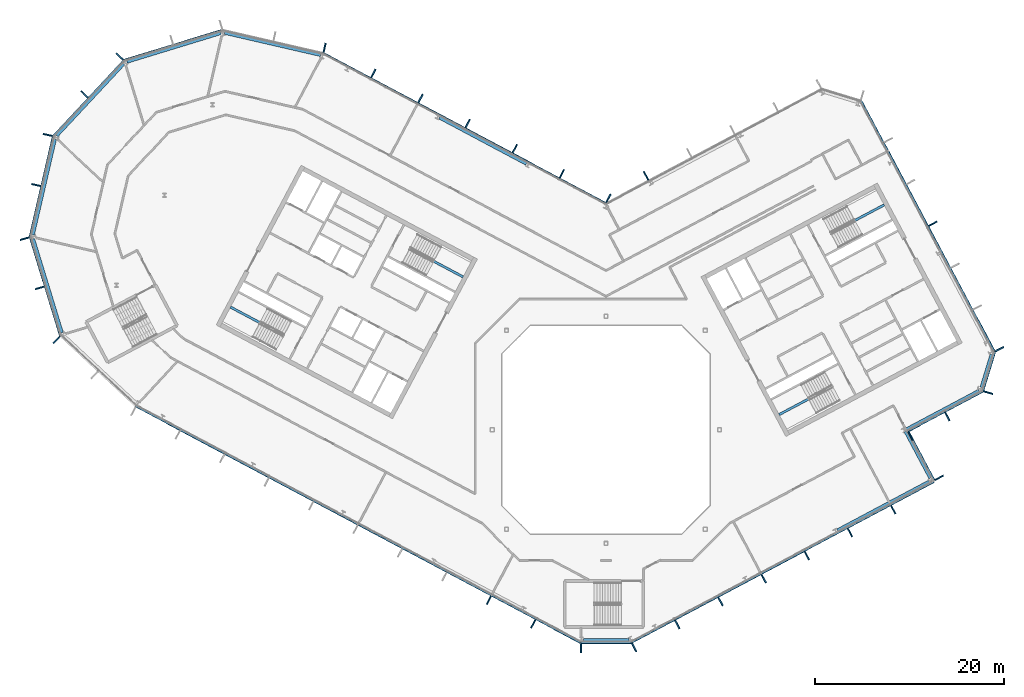
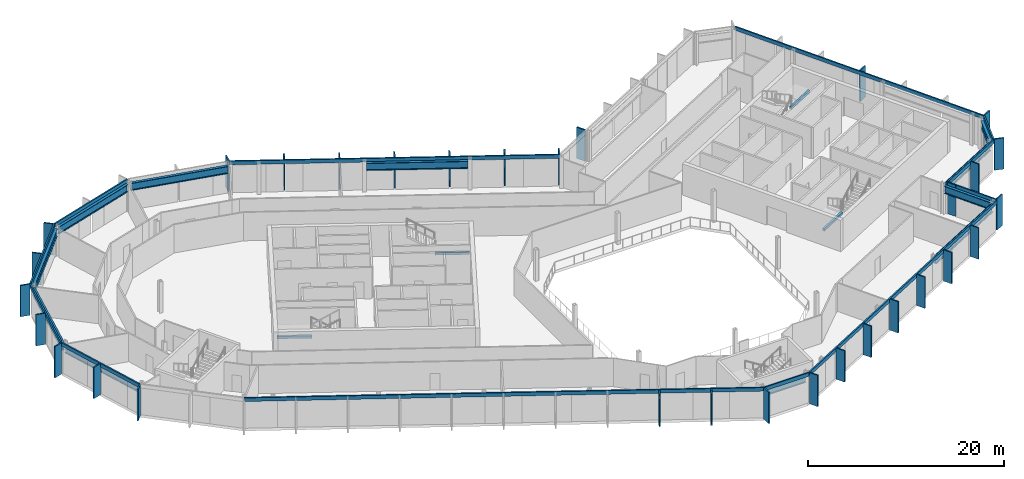
# One storey, part 9 of 25: 43 members, 15 beams, 15 elements without a shape of their own.
"""IFC4 building model written with IfcOpenShell, lengths in metres."""

import ifcopenshell
import ifcopenshell.guid

model = None  # the IFC model being written
_history = None  # IfcOwnerHistory: only IFC2X3 demands one
_inside = {}  # id of a spatial element -> (the spatial element, [elements in it])
_under = {}  # id of a project, library or spatial element -> (it, [spatial elements below it])
_declared = {}  # id of a project -> (the project, [libraries it declares])
_typed = {}  # id of a type object -> (the type object, [elements of that type])
_made_of = {}  # id of a material, layer set ... -> (it, [elements and type objects made of it])


def new_model(schema):
    """Start an empty IFC model of exactly this schema.

    Asked for "IFC4X3", IfcOpenShell would pick the latest addendum, in which some entities
    have other attributes; the version numbers below select the first issue.
    IFC2X3 requires an IfcOwnerHistory on every rooted entity: one is made here for all.
    """
    global model, _history
    if schema == "IFC4X3":
        model = ifcopenshell.file(schema_version=(4, 3, 0, 0))
    else:
        model = ifcopenshell.file(schema=schema)
    _inside.clear()
    _under.clear()
    _declared.clear()
    _typed.clear()
    _made_of.clear()
    _history = None
    if model.schema == "IFC2X3":
        org = make("IfcOrganization", Name="unknown")
        user = make(
            "IfcPersonAndOrganization",
            ThePerson=make("IfcPerson", FamilyName="unknown"),
            TheOrganization=org,
        )
        app = make(
            "IfcApplication",
            ApplicationDeveloper=org,
            Version="unknown",
            ApplicationFullName="unknown",
            ApplicationIdentifier="unknown",
        )
        _history = make(
            "IfcOwnerHistory",
            OwningUser=user,
            OwningApplication=app,
            ChangeAction="ADDED",
            CreationDate=0,
        )
    return model


def make(cls, **values):
    """One entity of the class cls with the attributes given. An attribute that is None is left unset."""
    return model.create_entity(
        cls, **{name: value for name, value in values.items() if value is not None}
    )


def rooted(cls, **values):
    """An entity with a GlobalId (a new one), such as an element, a storey or a relation."""
    return make(cls, GlobalId=ifcopenshell.guid.new(), OwnerHistory=_history, **values)


def si_unit(unit_type, name, prefix=None):
    """IfcSIUnit, for example si_unit("LENGTHUNIT", "METRE", prefix="MILLI")."""
    return make("IfcSIUnit", UnitType=unit_type, Prefix=prefix, Name=name)


def assignment(units):
    """IfcUnitAssignment: the units of a project."""
    return None if units is None else make("IfcUnitAssignment", Units=units)


def point(xyz):
    """IfcCartesianPoint."""
    return None if xyz is None else make("IfcCartesianPoint", Coordinates=xyz)


def direction(xyz):
    """IfcDirection."""
    return None if xyz is None else make("IfcDirection", DirectionRatios=xyz)


def frame(location, z_axis=None, x_axis=None):
    """IfcAxis2Placement3D, a coordinate frame: its origin and axes. An axis left out is left unset."""
    return make(
        "IfcAxis2Placement3D",
        Location=point(location),
        Axis=direction(z_axis),
        RefDirection=direction(x_axis),
    )


def frame_2d(location, x_axis=None):
    """IfcAxis2Placement2D, a coordinate frame in the plane: its origin and x axis."""
    return make(
        "IfcAxis2Placement2D", Location=point(location), RefDirection=direction(x_axis)
    )


def origin():
    """The frame at (0, 0, 0) with its axes left unset."""
    return frame((0.0, 0.0, 0.0))


def origin_2d():
    """The frame at (0, 0) in the plane with its x axis left unset."""
    return frame_2d((0.0, 0.0))


def place(relative_to, where):
    """IfcLocalPlacement: puts the frame where relative to a parent placement (None: the world)."""
    return make(
        "IfcLocalPlacement", PlacementRelTo=relative_to, RelativePlacement=where
    )


def context(
    kind, dimensions, precision=None, world=None, true_north=None, identifier=None
):
    """IfcGeometricRepresentationContext, for example the 3D "Model" context."""
    return make(
        "IfcGeometricRepresentationContext",
        ContextIdentifier=identifier,
        ContextType=kind,
        CoordinateSpaceDimension=dimensions,
        Precision=precision,
        WorldCoordinateSystem=world,
        TrueNorth=true_north,
    )


def subcontext(parent, identifier, kind, view, scale=None):
    """IfcGeometricRepresentationSubContext, for example "Body" below "Model"."""
    return make(
        "IfcGeometricRepresentationSubContext",
        ContextIdentifier=identifier,
        ContextType=kind,
        ParentContext=parent,
        TargetScale=scale,
        TargetView=view,
    )


def project(units=None, contexts=None):
    """IfcProject with its units and contexts."""
    return rooted(
        "IfcProject",
        Name="project",
        RepresentationContexts=contexts,
        UnitsInContext=assignment(units),
    )


def spatial(cls, under=None, at=None, **own):
    """A site, building, storey or space (cls), placed at a placement, below another one or the project."""
    s = rooted(cls, ObjectPlacement=at, **own)
    if under is not None:
        _under.setdefault(under.id(), (under, []))[1].append(s)
    return s


def profile(cls, at=None, kind="AREA", **sizes):
    """A parametric profile (cls). Its sizes go by their IFC names, for example OverallWidth=200.0."""
    return make(cls, ProfileType=kind, Position=at, **sizes)


def rectangle(**sizes):
    """IfcRectangleProfileDef."""
    return profile("IfcRectangleProfileDef", **sizes)


def i_section(**sizes):
    """IfcIShapeProfileDef."""
    return profile("IfcIShapeProfileDef", **sizes)


def extrude(swept, where, along, depth):
    """IfcExtrudedAreaSolid: the profile swept, set in the frame where, extruded along a direction by depth."""
    return make(
        "IfcExtrudedAreaSolid",
        SweptArea=swept,
        Position=where,
        ExtrudedDirection=direction(along),
        Depth=depth,
    )


def shape(context_of_items, identifier, shape_type, items):
    """IfcShapeRepresentation: the items that make up one representation, for example the "Body"."""
    return make(
        "IfcShapeRepresentation",
        ContextOfItems=context_of_items,
        RepresentationIdentifier=identifier,
        RepresentationType=shape_type,
        Items=items,
    )


def material(Name=None, Category=None):
    """IfcMaterial."""
    return make("IfcMaterial", Name=Name, Category=Category)


def layer(
    of_material, thickness, ventilated=None, Name=None, Category=None, Priority=None
):
    """IfcMaterialLayer: one layer of a wall or slab, of a material (None: an air gap)."""
    return make(
        "IfcMaterialLayer",
        Material=of_material,
        LayerThickness=thickness,
        IsVentilated=ventilated,
        Name=Name,
        Category=Category,
        Priority=Priority,
    )


def layer_set(layers, Name=None):
    """IfcMaterialLayerSet."""
    return make("IfcMaterialLayerSet", MaterialLayers=layers, LayerSetName=Name)


def material_profile(
    of_material, cross_section, Name=None, Category=None, Priority=None
):
    """IfcMaterialProfile: a cross section and its material."""
    return make(
        "IfcMaterialProfile",
        Name=Name,
        Material=of_material,
        Profile=cross_section,
        Priority=Priority,
        Category=Category,
    )


def profile_set(profiles, Name=None, composite=None):
    """IfcMaterialProfileSet."""
    return make(
        "IfcMaterialProfileSet",
        Name=Name,
        MaterialProfiles=profiles,
        CompositeProfile=composite,
    )


def made_of(thing, what):
    """Note that an element or type object is made of a material, layer set ...; save() writes the relation."""
    if what is not None:
        _made_of.setdefault(what.id(), (what, []))[1].append(thing)
    return thing


def type_object(cls, material=None, **own):
    """A type object (cls), such as IfcWallType, which elements share."""
    return made_of(rooted(cls, **own), material)


def element(
    cls,
    number,
    at=None,
    inside=None,
    cuts=None,
    type_object=None,
    material=None,
    context=None,
    identifier="Body",
    shape_type=None,
    held_by="IfcProductDefinitionShape",
    body=None,
    shapes=None,
    **own,
):
    """One element of the class cls, such as IfcWall. Its Tag is "e" and its number.

    at: its placement. inside: the storey or other place that contains it. cuts: it is an
    opening in that element (IfcRelVoidsElement). A single representation is given by context,
    identifier, shape_type and body (its items); several are given by shapes. held_by: the class
    of the entity that holds the representations. save() writes the other relations.
    """
    e = rooted(cls, Tag="e%d" % number, ObjectPlacement=at, **own)
    if body is not None:
        shapes = [shape(context, identifier, shape_type, body)]
    if shapes is not None:
        e.Representation = make(held_by, Representations=shapes)
    if inside is not None:
        _inside.setdefault(inside.id(), (inside, []))[1].append(e)
    if cuts is not None:
        rooted(
            "IfcRelVoidsElement", RelatingBuildingElement=cuts, RelatedOpeningElement=e
        )
    if type_object is not None:
        _typed.setdefault(type_object.id(), (type_object, []))[1].append(e)
    return made_of(e, material)


def aggregate(whole, parts):
    """IfcRelAggregates: a whole, such as a stair, and the parts it consists of."""
    return rooted("IfcRelAggregates", RelatingObject=whole, RelatedObjects=parts)


def save(model, path):
    """Write the relations noted so far, then the file.

    IfcRelAggregates (storeys below a building ...), IfcRelContainedInSpatialStructure (elements
    in a storey), IfcRelDefinesByType, IfcRelAssociatesMaterial and IfcRelDeclares: one each for
    every whole, place, type object, material and project.
    """
    for whole, parts in _under.values():
        aggregate(whole, parts)
    for where, things in _inside.values():
        rooted(
            "IfcRelContainedInSpatialStructure",
            RelatedElements=things,
            RelatingStructure=where,
        )
    for kind, things in _typed.values():
        rooted("IfcRelDefinesByType", RelatedObjects=things, RelatingType=kind)
    for what, things in _made_of.values():
        rooted("IfcRelAssociatesMaterial", RelatedObjects=things, RelatingMaterial=what)
    for by, libraries in _declared.values():
        rooted("IfcRelDeclares", RelatingContext=by, RelatedDefinitions=libraries)
    model.write(path)


model = new_model("IFC4")

# Units and contexts
model_context = context("Model", 3, precision=1e-05, world=origin(), true_north=direction((0.0, 1.0)))
body_context = subcontext(model_context, "Body", "Model", "MODEL_VIEW")
ifc_project = project(units=[si_unit("LENGTHUNIT", "METRE"), si_unit("AREAUNIT", "SQUARE_METRE"), si_unit("VOLUMEUNIT", "CUBIC_METRE"), si_unit("PLANEANGLEUNIT", "RADIAN"), si_unit("MASSUNIT", "GRAM", prefix="KILO")], contexts=[model_context])

# Site, building, storey
site_placement = place(None, origin())
site = spatial("IfcSite", under=ifc_project, at=site_placement, CompositionType="ELEMENT")
building_placement = place(site_placement, origin())
building = spatial("IfcBuilding", under=site, at=building_placement, Name="Cormorant Relay Tower", CompositionType="ELEMENT")
storey_placement = place(building_placement, frame((0.0, 0.0, 289.199951171875)))
storey = spatial("IfcBuildingStorey", under=building, at=storey_placement, Name="L65", CompositionType="ELEMENT", Elevation=289.199951171875)

# Curtain wall, member
ifc_material_1 = material(Name="Aluminium 6063-T6 anodised bronze", Category="aluminium")
ifc_layer = layer(ifc_material_1, 0.199951171875)
ifc_layer_set = layer_set([ifc_layer], Name="CW1 unitised bronze curtain wall with vertical fins")
curtain_wall_type = type_object("IfcCurtainWallType", Name="CW1 unitised bronze curtain wall with vertical fins", PredefinedType="NOTDEFINED", material=ifc_layer_set)
curtain_wall_1_placement = place(storey_placement, origin())
curtain_wall_1 = element("IfcCurtainWall", 1, at=curtain_wall_1_placement, inside=storey, type_object=curtain_wall_type, Name="CW1 curtain wall 1", PredefinedType="NOTDEFINED")
ifc_material_2 = material(Name="Aluminium 6063-T6 anodised bronze", Category="aluminium")
ifc_material_profile_1 = material_profile(ifc_material_2, rectangle(XDim=0.14990234375, YDim=1.0, at=origin_2d()), Name="AL 150x1000")
ifc_profile_set_1 = profile_set([ifc_material_profile_1], Name="Aluminium 6063-T6 anodised bronze")
member_type_1 = type_object("IfcMemberType", Name="CW1 bronze fin mullion 150 x 1000", PredefinedType="MULLION", material=ifc_profile_set_1)
member_1_placement = place(storey_placement, frame((-2.648681640625, -23.07568359375, 0.0), z_axis=(0.0, 0.0, 1.0), x_axis=(1.0, 0.0, 0.0)))
member_1 = element("IfcMember", 2, at=member_1_placement, type_object=member_type_1, Name="CW1 fin 1.1", PredefinedType="MULLION", context=body_context, shape_type="SweptSolid", body=[
    extrude(rectangle(XDim=0.14990234375, YDim=1.0, at=origin_2d()), origin(), (0.0, 0.0, 1.0), 3.900146484375),
])

# Curtain wall, members
curtain_wall_2_placement = place(storey_placement, origin())
curtain_wall_2 = element("IfcCurtainWall", 3, at=curtain_wall_2_placement, inside=storey, type_object=curtain_wall_type, Name="CW1 curtain wall 2", PredefinedType="NOTDEFINED")
member_2_placement = place(storey_placement, frame((2.9775390625, -22.99365234375, 0.0), z_axis=(0.0, 0.0, 1.0), x_axis=(0.882947592859, 0.469471562786, 0.0)))
member_2 = element("IfcMember", 4, at=member_2_placement, type_object=member_type_1, Name="CW1 fin 2.1", PredefinedType="MULLION", context=body_context, shape_type="SweptSolid", body=[
    extrude(rectangle(XDim=0.14990234375, YDim=1.0, at=origin_2d()), origin(), (0.0, 0.0, 1.0), 3.900146484375),
])
member_3_placement = place(storey_placement, frame((7.539306640625, -20.568115234375, 0.0), z_axis=(0.0, 0.0, 1.0), x_axis=(0.882947592859, 0.469471562786, 0.0)))
member_3 = element("IfcMember", 5, at=member_3_placement, type_object=member_type_1, Name="CW1 fin 2.2", PredefinedType="MULLION", context=body_context, shape_type="SweptSolid", body=[
    extrude(rectangle(XDim=0.14990234375, YDim=1.0, at=origin_2d()), origin(), (0.0, 0.0, 1.0), 3.900146484375),
])
member_4_placement = place(storey_placement, frame((12.10107421875, -18.142578125, 0.0), z_axis=(0.0, 0.0, 1.0), x_axis=(0.882947592859, 0.469471562786, 0.0)))
member_4 = element("IfcMember", 6, at=member_4_placement, type_object=member_type_1, Name="CW1 fin 2.3", PredefinedType="MULLION", context=body_context, shape_type="SweptSolid", body=[
    extrude(rectangle(XDim=0.14990234375, YDim=1.0, at=origin_2d()), origin(), (0.0, 0.0, 1.0), 3.900146484375),
])
member_5_placement = place(storey_placement, frame((16.662841796875, -15.717041015625, 0.0), z_axis=(0.0, 0.0, 1.0), x_axis=(0.882947592859, 0.469471562786, 0.0)))
member_5 = element("IfcMember", 7, at=member_5_placement, type_object=member_type_1, Name="CW1 fin 2.4", PredefinedType="MULLION", context=body_context, shape_type="SweptSolid", body=[
    extrude(rectangle(XDim=0.14990234375, YDim=1.0, at=origin_2d()), origin(), (0.0, 0.0, 1.0), 3.900146484375),
])
member_6_placement = place(storey_placement, frame((21.224609375, -13.29150390625, 0.0), z_axis=(0.0, 0.0, 1.0), x_axis=(0.882947592859, 0.469471562786, 0.0)))
member_6 = element("IfcMember", 8, at=member_6_placement, type_object=member_type_1, Name="CW1 fin 2.5", PredefinedType="MULLION", context=body_context, shape_type="SweptSolid", body=[
    extrude(rectangle(XDim=0.14990234375, YDim=1.0, at=origin_2d()), origin(), (0.0, 0.0, 1.0), 3.900146484375),
])
member_7_placement = place(storey_placement, frame((25.78662109375, -10.865966796875, 0.0), z_axis=(0.0, 0.0, 1.0), x_axis=(0.882947592859, 0.469471562786, 0.0)))
member_7 = element("IfcMember", 9, at=member_7_placement, type_object=member_type_1, Name="CW1 fin 2.6", PredefinedType="MULLION", context=body_context, shape_type="SweptSolid", body=[
    extrude(rectangle(XDim=0.14990234375, YDim=1.0, at=origin_2d()), origin(), (0.0, 0.0, 1.0), 3.900146484375),
])
member_8_placement = place(storey_placement, frame((30.348388671875, -8.440185546875, 0.0), z_axis=(0.0, 0.0, 1.0), x_axis=(0.882947592859, 0.469471562786, 0.0)))
member_8 = element("IfcMember", 10, at=member_8_placement, type_object=member_type_1, Name="CW1 fin 2.7", PredefinedType="MULLION", context=body_context, shape_type="SweptSolid", body=[
    extrude(rectangle(XDim=0.14990234375, YDim=1.0, at=origin_2d()), origin(), (0.0, 0.0, 1.0), 3.900146484375),
])

# Curtain wall, member
curtain_wall_3_placement = place(storey_placement, origin())
curtain_wall_3 = element("IfcCurtainWall", 11, at=curtain_wall_3_placement, inside=storey, type_object=curtain_wall_type, Name="CW1 curtain wall 3", PredefinedType="NOTDEFINED")
member_9_placement = place(storey_placement, frame((35.199462890625, -5.068115234375, 0.0), z_axis=(0.0, 0.0, 1.0), x_axis=(-0.469471562786, 0.882947592859, 0.0)))
member_9 = element("IfcMember", 12, at=member_9_placement, type_object=member_type_1, Name="CW1 fin 3.1", PredefinedType="MULLION", context=body_context, shape_type="SweptSolid", body=[
    extrude(rectangle(XDim=0.14990234375, YDim=1.0, at=origin_2d()), origin(), (0.0, 0.0, 1.0), 3.900146484375),
])

# Curtain wall, members
curtain_wall_4_placement = place(storey_placement, origin())
curtain_wall_4 = element("IfcCurtainWall", 13, at=curtain_wall_4_placement, inside=storey, type_object=curtain_wall_type, Name="CW1 curtain wall 4", PredefinedType="NOTDEFINED")
member_10_placement = place(storey_placement, frame((32.159423828125, -0.681884765625, 0.0), z_axis=(0.0, 0.0, 1.0), x_axis=(0.882947592859, 0.469471562786, 0.0)))
member_10 = element("IfcMember", 14, at=member_10_placement, type_object=member_type_1, Name="CW1 fin 4.1", PredefinedType="MULLION", context=body_context, shape_type="SweptSolid", body=[
    extrude(rectangle(XDim=0.14990234375, YDim=1.0, at=origin_2d()), origin(), (0.0, 0.0, 1.0), 3.900146484375),
])
member_11_placement = place(storey_placement, frame((36.06640625, 1.3955078125, 0.0), z_axis=(0.0, 0.0, 1.0), x_axis=(0.882947592859, 0.469471562786, 0.0)))
member_11 = element("IfcMember", 15, at=member_11_placement, type_object=member_type_1, Name="CW1 fin 4.2", PredefinedType="MULLION", context=body_context, shape_type="SweptSolid", body=[
    extrude(rectangle(XDim=0.14990234375, YDim=1.0, at=origin_2d()), origin(), (0.0, 0.0, 1.0), 3.900146484375),
])

# Curtain wall, member
curtain_wall_5_placement = place(storey_placement, origin())
curtain_wall_5 = element("IfcCurtainWall", 16, at=curtain_wall_5_placement, inside=storey, type_object=curtain_wall_type, Name="CW1 curtain wall 5", PredefinedType="NOTDEFINED")
member_12_placement = place(storey_placement, frame((40.380615234375, 3.921630859375, 0.0), z_axis=(0.0, 0.0, 1.0), x_axis=(0.292371704723, 0.956304755963, 0.0)))
member_12 = element("IfcMember", 17, at=member_12_placement, type_object=member_type_1, Name="CW1 fin 5.1", PredefinedType="MULLION", context=body_context, shape_type="SweptSolid", body=[
    extrude(rectangle(XDim=0.14990234375, YDim=1.0, at=origin_2d()), origin(), (0.0, 0.0, 1.0), 3.900146484375),
])

# Curtain wall, members
curtain_wall_6_placement = place(storey_placement, origin())
curtain_wall_6 = element("IfcCurtainWall", 18, at=curtain_wall_6_placement, inside=storey, type_object=curtain_wall_type, Name="CW1 curtain wall 6", PredefinedType="NOTDEFINED")
member_13_placement = place(storey_placement, frame((41.569580078125, 8.51220703125, 0.0), z_axis=(0.0, 0.0, 1.0), x_axis=(-0.469471562786, 0.882947592859, 0.0)))
member_13 = element("IfcMember", 19, at=member_13_placement, type_object=member_type_1, Name="CW1 fin 6.1", PredefinedType="MULLION", context=body_context, shape_type="SweptSolid", body=[
    extrude(rectangle(XDim=0.14990234375, YDim=1.0, at=origin_2d()), origin(), (0.0, 0.0, 1.0), 3.900146484375),
])
member_14_placement = place(storey_placement, frame((34.527587890625, 21.75634765625, 0.0), z_axis=(0.0, 0.0, 1.0), x_axis=(-0.469471562786, 0.882947592859, 0.0)))
member_14 = element("IfcMember", 20, at=member_14_placement, type_object=member_type_1, Name="CW1 fin 6.4", PredefinedType="MULLION", context=body_context, shape_type="SweptSolid", body=[
    extrude(rectangle(XDim=0.14990234375, YDim=1.0, at=origin_2d()), origin(), (0.0, 0.0, 1.0), 3.900146484375),
])

# Curtain wall, member
curtain_wall_7_placement = place(storey_placement, origin())
curtain_wall_7 = element("IfcCurtainWall", 21, at=curtain_wall_7_placement, inside=storey, type_object=curtain_wall_type, Name="CW1 curtain wall 8", PredefinedType="NOTDEFINED")
member_15_placement = place(storey_placement, frame((4.2333984375, 26.82763671875, 0.0), z_axis=(0.0, 0.0, 1.0), x_axis=(-0.882947592859, -0.469471562786, 0.0)))
member_15 = element("IfcMember", 22, at=member_15_placement, type_object=member_type_1, Name="CW1 fin 8.5", PredefinedType="MULLION", context=body_context, shape_type="SweptSolid", body=[
    extrude(rectangle(XDim=0.14990234375, YDim=1.0, at=origin_2d()), origin(), (0.0, 0.0, 1.0), 3.900146484375),
])
aggregate(curtain_wall_7, [member_15])

# Curtain wall, members
curtain_wall_8_placement = place(storey_placement, origin())
curtain_wall_8 = element("IfcCurtainWall", 23, at=curtain_wall_8_placement, inside=storey, type_object=curtain_wall_type, Name="CW1 curtain wall 9", PredefinedType="NOTDEFINED")
member_16_placement = place(storey_placement, frame((0.262451171875, 24.437255859375, 0.0), z_axis=(0.0, 0.0, 1.0), x_axis=(-0.882947592859, 0.469471562786, 0.0)))
member_16 = element("IfcMember", 24, at=member_16_placement, type_object=member_type_1, Name="CW1 fin 9.1", PredefinedType="MULLION", context=body_context, shape_type="SweptSolid", body=[
    extrude(rectangle(XDim=0.14990234375, YDim=1.0, at=origin_2d()), origin(), (0.0, 0.0, 1.0), 3.900146484375),
])
member_17_placement = place(storey_placement, frame((-4.650390625, 27.04931640625, 0.0), z_axis=(0.0, 0.0, 1.0), x_axis=(-0.882947592859, 0.469471562786, 0.0)))
member_17 = element("IfcMember", 25, at=member_17_placement, type_object=member_type_1, Name="CW1 fin 9.2", PredefinedType="MULLION", context=body_context, shape_type="SweptSolid", body=[
    extrude(rectangle(XDim=0.14990234375, YDim=1.0, at=origin_2d()), origin(), (0.0, 0.0, 1.0), 3.900146484375),
])
member_18_placement = place(storey_placement, frame((-9.62939453125, 29.69677734375, 0.0), z_axis=(0.0, 0.0, 1.0), x_axis=(-0.882947592859, 0.469471562786, 0.0)))
member_18 = element("IfcMember", 26, at=member_18_placement, type_object=member_type_1, Name="CW1 fin 9.3", PredefinedType="MULLION", context=body_context, shape_type="SweptSolid", body=[
    extrude(rectangle(XDim=0.14990234375, YDim=1.0, at=origin_2d()), origin(), (0.0, 0.0, 1.0), 3.900146484375),
])
member_19_placement = place(storey_placement, frame((-14.608154296875, 32.343994140625, 0.0), z_axis=(0.0, 0.0, 1.0), x_axis=(-0.882947592859, 0.469471562786, 0.0)))
member_19 = element("IfcMember", 27, at=member_19_placement, type_object=member_type_1, Name="CW1 fin 9.4", PredefinedType="MULLION", context=body_context, shape_type="SweptSolid", body=[
    extrude(rectangle(XDim=0.14990234375, YDim=1.0, at=origin_2d()), origin(), (0.0, 0.0, 1.0), 3.900146484375),
])
member_20_placement = place(storey_placement, frame((-19.587158203125, 34.991455078125, 0.0), z_axis=(0.0, 0.0, 1.0), x_axis=(-0.882947592859, 0.469471562786, 0.0)))
member_20 = element("IfcMember", 28, at=member_20_placement, type_object=member_type_1, Name="CW1 fin 9.5", PredefinedType="MULLION", context=body_context, shape_type="SweptSolid", body=[
    extrude(rectangle(XDim=0.14990234375, YDim=1.0, at=origin_2d()), origin(), (0.0, 0.0, 1.0), 3.900146484375),
])
member_21_placement = place(storey_placement, frame((-24.566162109375, 37.638916015625, 0.0), z_axis=(0.0, 0.0, 1.0), x_axis=(-0.882947592859, 0.469471562786, 0.0)))
member_21 = element("IfcMember", 29, at=member_21_placement, type_object=member_type_1, Name="CW1 fin 9.6", PredefinedType="MULLION", context=body_context, shape_type="SweptSolid", body=[
    extrude(rectangle(XDim=0.14990234375, YDim=1.0, at=origin_2d()), origin(), (0.0, 0.0, 1.0), 3.900146484375),
])

# Curtain wall, member
curtain_wall_9_placement = place(storey_placement, origin())
curtain_wall_9 = element("IfcCurtainWall", 30, at=curtain_wall_9_placement, inside=storey, type_object=curtain_wall_type, Name="CW1 curtain wall 10", PredefinedType="NOTDEFINED")
member_22_placement = place(storey_placement, frame((-29.71630859375, 40.35009765625, 0.0), z_axis=(0.0, 0.0, 1.0), x_axis=(-0.974370064785, 0.224951054344, 0.0)))
member_22 = element("IfcMember", 31, at=member_22_placement, type_object=member_type_1, Name="CW1 fin 10.1", PredefinedType="MULLION", context=body_context, shape_type="SweptSolid", body=[
    extrude(rectangle(XDim=0.14990234375, YDim=1.0, at=origin_2d()), origin(), (0.0, 0.0, 1.0), 3.900146484375),
])
aggregate(curtain_wall_9, [member_22])

# Curtain wall, members
curtain_wall_10_placement = place(storey_placement, origin())
curtain_wall_10 = element("IfcCurtainWall", 32, at=curtain_wall_10_placement, inside=storey, type_object=curtain_wall_type, Name="CW1 curtain wall 12", PredefinedType="NOTDEFINED")
member_23_placement = place(storey_placement, frame((-51.372802734375, 39.41259765625, 0.0), z_axis=(0.0, 0.0, 1.0), x_axis=(-0.681998360062, -0.731353701619, 0.0)))
member_23 = element("IfcMember", 33, at=member_23_placement, type_object=member_type_1, Name="CW1 fin 12.1", PredefinedType="MULLION", context=body_context, shape_type="SweptSolid", body=[
    extrude(rectangle(XDim=0.14990234375, YDim=1.0, at=origin_2d()), origin(), (0.0, 0.0, 1.0), 3.900146484375),
])
member_24_placement = place(storey_placement, frame((-55.07958984375, 35.4375, 0.0), z_axis=(0.0, 0.0, 1.0), x_axis=(-0.681998360062, -0.731353701619, 0.0)))
member_24 = element("IfcMember", 34, at=member_24_placement, type_object=member_type_1, Name="CW1 fin 12.2", PredefinedType="MULLION", context=body_context, shape_type="SweptSolid", body=[
    extrude(rectangle(XDim=0.14990234375, YDim=1.0, at=origin_2d()), origin(), (0.0, 0.0, 1.0), 3.900146484375),
])

curtain_wall_11_placement = place(storey_placement, origin())
curtain_wall_11 = element("IfcCurtainWall", 35, at=curtain_wall_11_placement, inside=storey, type_object=curtain_wall_type, Name="CW1 curtain wall 13", PredefinedType="NOTDEFINED")
member_25_placement = place(storey_placement, frame((-58.95654296875, 31.142578125, 0.0), z_axis=(0.0, 0.0, 1.0), x_axis=(-0.224951054344, -0.974370064785, 0.0)))
member_25 = element("IfcMember", 36, at=member_25_placement, type_object=member_type_1, Name="CW1 fin 13.1", PredefinedType="MULLION", context=body_context, shape_type="SweptSolid", body=[
    extrude(rectangle(XDim=0.14990234375, YDim=1.0, at=origin_2d()), origin(), (0.0, 0.0, 1.0), 3.900146484375),
])
member_26_placement = place(storey_placement, frame((-60.17919921875, 25.8466796875, 0.0), z_axis=(0.0, 0.0, 1.0), x_axis=(-0.224951054344, -0.974370064785, 0.0)))
member_26 = element("IfcMember", 37, at=member_26_placement, type_object=member_type_1, Name="CW1 fin 13.2", PredefinedType="MULLION", context=body_context, shape_type="SweptSolid", body=[
    extrude(rectangle(XDim=0.14990234375, YDim=1.0, at=origin_2d()), origin(), (0.0, 0.0, 1.0), 3.900146484375),
])

curtain_wall_12_placement = place(storey_placement, origin())
curtain_wall_12 = element("IfcCurtainWall", 38, at=curtain_wall_12_placement, inside=storey, type_object=curtain_wall_type, Name="CW1 curtain wall 14", PredefinedType="NOTDEFINED")
member_27_placement = place(storey_placement, frame((-61.389404296875, 20.188720703125, 0.0), z_axis=(0.0, 0.0, 1.0), x_axis=(0.292371704723, -0.956304755963, 0.0)))
member_27 = element("IfcMember", 39, at=member_27_placement, type_object=member_type_1, Name="CW1 fin 14.1", PredefinedType="MULLION", context=body_context, shape_type="SweptSolid", body=[
    extrude(rectangle(XDim=0.14990234375, YDim=1.0, at=origin_2d()), origin(), (0.0, 0.0, 1.0), 3.900146484375),
])
member_28_placement = place(storey_placement, frame((-59.80029296875, 14.990966796875, 0.0), z_axis=(0.0, 0.0, 1.0), x_axis=(0.292371704723, -0.956304755963, 0.0)))
member_28 = element("IfcMember", 40, at=member_28_placement, type_object=member_type_1, Name="CW1 fin 14.2", PredefinedType="MULLION", context=body_context, shape_type="SweptSolid", body=[
    extrude(rectangle(XDim=0.14990234375, YDim=1.0, at=origin_2d()), origin(), (0.0, 0.0, 1.0), 3.900146484375),
])

# Curtain wall, member
curtain_wall_13_placement = place(storey_placement, origin())
curtain_wall_13 = element("IfcCurtainWall", 41, at=curtain_wall_13_placement, inside=storey, type_object=curtain_wall_type, Name="CW1 curtain wall 15", PredefinedType="NOTDEFINED")
member_29_placement = place(storey_placement, frame((-58.01904296875, 9.486083984375, 0.0), z_axis=(0.0, 0.0, 1.0), x_axis=(0.731353701619, -0.681998360062, 0.0)))
member_29 = element("IfcMember", 42, at=member_29_placement, type_object=member_type_1, Name="CW1 fin 15.1", PredefinedType="MULLION", context=body_context, shape_type="SweptSolid", body=[
    extrude(rectangle(XDim=0.14990234375, YDim=1.0, at=origin_2d()), origin(), (0.0, 0.0, 1.0), 3.900146484375),
])
aggregate(curtain_wall_13, [member_29])

# Curtain wall, members
curtain_wall_14_placement = place(storey_placement, origin())
curtain_wall_14 = element("IfcCurtainWall", 43, at=curtain_wall_14_placement, inside=storey, type_object=curtain_wall_type, Name="CW1 curtain wall 16", PredefinedType="NOTDEFINED")
member_30_placement = place(storey_placement, frame((-12.365966796875, -18.001708984375, 0.0), z_axis=(0.0, 0.0, 1.0), x_axis=(0.882947592859, -0.469471562786, 0.0)))
member_30 = element("IfcMember", 44, at=member_30_placement, type_object=member_type_1, Name="CW1 fin 16.9", PredefinedType="MULLION", context=body_context, shape_type="SweptSolid", body=[
    extrude(rectangle(XDim=0.14990234375, YDim=1.0, at=origin_2d()), origin(), (0.0, 0.0, 1.0), 3.900146484375),
])
member_31_placement = place(storey_placement, frame((-7.671630859375, -20.49755859375, 0.0), z_axis=(0.0, 0.0, 1.0), x_axis=(0.882947592859, -0.469471562786, 0.0)))
member_31 = element("IfcMember", 45, at=member_31_placement, type_object=member_type_1, Name="CW1 fin 16.10", PredefinedType="MULLION", context=body_context, shape_type="SweptSolid", body=[
    extrude(rectangle(XDim=0.14990234375, YDim=1.0, at=origin_2d()), origin(), (0.0, 0.0, 1.0), 3.900146484375),
])

# Member
ifc_material_3 = material(Name="Aluminium 6063-T6 anodised bronze", Category="aluminium")
ifc_material_profile_2 = material_profile(ifc_material_3, rectangle(XDim=0.159912109375, YDim=0.449951171875, at=origin_2d()), Name="AL 160x450")
ifc_profile_set_2 = profile_set([ifc_material_profile_2], Name="Aluminium 6063-T6 anodised bronze")
member_type_2 = type_object("IfcMemberType", Name="CW1 bronze transom 160 x 450", PredefinedType="USERDEFINED", material=ifc_profile_set_2)
member_32_placement = place(storey_placement, frame((-2.648681640625, -22.49560546875, 3.675048828125), z_axis=(1.0, 0.0, 0.0), x_axis=(0.0, 1.0, 0.0)))
member_32 = element("IfcMember", 46, at=member_32_placement, type_object=member_type_2, Name="CW1 transom 1", ObjectType="TRANSOM", PredefinedType="USERDEFINED", context=body_context, shape_type="SweptSolid", body=[
    extrude(rectangle(XDim=0.159912109375, YDim=0.449951171875, at=origin_2d()), origin(), (0.0, 0.0, 1.0), 5.29736328125),
])

aggregate(curtain_wall_1, [member_1, member_32])

member_33_placement = place(storey_placement, frame((2.705078125, -22.4814453125, 3.675048828125), z_axis=(0.882948899141, 0.469469106018, 0.0), x_axis=(-0.469469106018, 0.882948899141, 0.0)))
member_33 = element("IfcMember", 47, at=member_33_placement, type_object=member_type_2, Name="CW1 transom 2", ObjectType="TRANSOM", PredefinedType="USERDEFINED", context=body_context, shape_type="SweptSolid", body=[
    extrude(rectangle(XDim=0.159912109375, YDim=0.449951171875, at=origin_2d()), origin(), (0.0, 0.0, 1.0), 36.165771484375),
])

aggregate(curtain_wall_2, [member_2, member_3, member_4, member_5, member_6, member_7, member_8, member_33])

member_34_placement = place(storey_placement, frame((34.6875, -5.34033203125, 3.675048828125), z_axis=(-0.469485426614, 0.882940221191, 0.0), x_axis=(-0.882940221191, -0.469485426614, 0.0)))
member_34 = element("IfcMember", 48, at=member_34_placement, type_object=member_type_2, Name="CW1 transom 3", ObjectType="TRANSOM", PredefinedType="USERDEFINED", context=body_context, shape_type="SweptSolid", body=[
    extrude(rectangle(XDim=0.159912109375, YDim=0.449951171875, at=origin_2d()), origin(), (0.0, 0.0, 1.0), 6.0),
])

aggregate(curtain_wall_3, [member_9, member_34])

member_35_placement = place(storey_placement, frame((31.82080078125, -0.205078125, 3.675048828125), z_axis=(0.882949189538, 0.469468559857, 0.0), x_axis=(-0.469468559857, 0.882949189538, 0.0)))
member_35 = element("IfcMember", 49, at=member_35_placement, type_object=member_type_2, Name="CW1 transom 4", ObjectType="TRANSOM", PredefinedType="USERDEFINED", context=body_context, shape_type="SweptSolid", body=[
    extrude(rectangle(XDim=0.159912109375, YDim=0.449951171875, at=origin_2d()), origin(), (0.0, 0.0, 1.0), 9.000244140625),
])

aggregate(curtain_wall_4, [member_10, member_11, member_35])

member_36_placement = place(storey_placement, frame((39.825927734375, 4.091064453125, 3.675048828125), z_axis=(0.292374957137, 0.956303761594, 0.0), x_axis=(-0.956303761594, 0.292374957137, 0.0)))
member_36 = element("IfcMember", 50, at=member_36_placement, type_object=member_type_2, Name="CW1 transom 5", ObjectType="TRANSOM", PredefinedType="USERDEFINED", context=body_context, shape_type="SweptSolid", body=[
    extrude(rectangle(XDim=0.159912109375, YDim=0.449951171875, at=origin_2d()), origin(), (0.0, 0.0, 1.0), 4.24267578125),
])

aggregate(curtain_wall_5, [member_12, member_36])

member_37_placement = place(storey_placement, frame((41.0576171875, 8.23974609375, 3.675048828125), z_axis=(-0.469472335483, 0.882947182008, 0.0), x_axis=(-0.882947182008, -0.469472335483, 0.0)))
member_37 = element("IfcMember", 51, at=member_37_placement, type_object=member_type_2, Name="CW1 transom 6", ObjectType="TRANSOM", PredefinedType="USERDEFINED", context=body_context, shape_type="SweptSolid", body=[
    extrude(rectangle(XDim=0.159912109375, YDim=0.449951171875, at=origin_2d()), origin(), (0.0, 0.0, 1.0), 30.000244140625),
])

aggregate(curtain_wall_6, [member_13, member_14, member_37])

member_38_placement = place(storey_placement, frame((0.056396484375, 23.889892578125, 3.675048828125), z_axis=(-0.882946280328, 0.46947403129, 0.0), x_axis=(-0.46947403129, -0.882946280328, 0.0)))
member_38 = element("IfcMember", 52, at=member_38_placement, type_object=member_type_2, Name="CW1 transom 9", ObjectType="TRANSOM", PredefinedType="USERDEFINED", context=body_context, shape_type="SweptSolid", body=[
    extrude(rectangle(XDim=0.159912109375, YDim=0.449951171875, at=origin_2d()), origin(), (0.0, 0.0, 1.0), 33.834228515625),
])

aggregate(curtain_wall_8, [member_16, member_17, member_18, member_19, member_20, member_21, member_38])

# Curtain wall, member
curtain_wall_15_placement = place(storey_placement, origin())
curtain_wall_15 = element("IfcCurtainWall", 53, at=curtain_wall_15_placement, inside=storey, type_object=curtain_wall_type, Name="CW1 curtain wall 11", PredefinedType="NOTDEFINED")
member_39_placement = place(storey_placement, frame((-40.50048828125, 42.228271484375, 3.675048828125), z_axis=(-0.956304833932, -0.292371449698, 0.0), x_axis=(0.292371449698, -0.956304833932, 0.0)))
member_39 = element("IfcMember", 54, at=member_39_placement, type_object=member_type_2, Name="CW1 transom 11", ObjectType="TRANSOM", PredefinedType="USERDEFINED", context=body_context, shape_type="SweptSolid", body=[
    extrude(rectangle(XDim=0.159912109375, YDim=0.449951171875, at=origin_2d()), origin(), (0.0, 0.0, 1.0), 10.87060546875),
])
aggregate(curtain_wall_15, [member_39])

# Member
member_40_placement = place(storey_placement, frame((-50.94873046875, 39.01708984375, 3.675048828125), z_axis=(-0.681993299437, -0.731358420696, 0.0), x_axis=(0.731358420696, -0.681993299437, 0.0)))
member_40 = element("IfcMember", 55, at=member_40_placement, type_object=member_type_2, Name="CW1 transom 12", ObjectType="TRANSOM", PredefinedType="USERDEFINED", context=body_context, shape_type="SweptSolid", body=[
    extrude(rectangle(XDim=0.159912109375, YDim=0.449951171875, at=origin_2d()), origin(), (0.0, 0.0, 1.0), 10.870361328125),
])

aggregate(curtain_wall_10, [member_23, member_24, member_40])

member_41_placement = place(storey_placement, frame((-58.3916015625, 31.01220703125, 3.675048828125), z_axis=(-0.22495136131, -0.974369993916, 0.0), x_axis=(0.974369993916, -0.22495136131, 0.0)))
member_41 = element("IfcMember", 56, at=member_41_placement, type_object=member_type_2, Name="CW1 transom 13", ObjectType="TRANSOM", PredefinedType="USERDEFINED", context=body_context, shape_type="SweptSolid", body=[
    extrude(rectangle(XDim=0.159912109375, YDim=0.449951171875, at=origin_2d()), origin(), (0.0, 0.0, 1.0), 10.870361328125),
])

aggregate(curtain_wall_11, [member_25, member_26, member_41])

member_42_placement = place(storey_placement, frame((-60.834716796875, 20.358154296875, 3.675048828125), z_axis=(0.292377729282, -0.95630291405, 0.0), x_axis=(0.95630291405, 0.292377729282, 0.0)))
member_42 = element("IfcMember", 57, at=member_42_placement, type_object=member_type_2, Name="CW1 transom 14", ObjectType="TRANSOM", PredefinedType="USERDEFINED", context=body_context, shape_type="SweptSolid", body=[
    extrude(rectangle(XDim=0.159912109375, YDim=0.449951171875, at=origin_2d()), origin(), (0.0, 0.0, 1.0), 10.870361328125),
])

aggregate(curtain_wall_12, [member_27, member_28, member_42])

member_43_placement = place(storey_placement, frame((-49.64794921875, 2.478515625, 3.675048828125), z_axis=(0.882947642542, -0.469471469346, 0.0), x_axis=(0.469471469346, 0.882947642542, 0.0)))
member_43 = element("IfcMember", 58, at=member_43_placement, type_object=member_type_2, Name="CW1 transom 16", ObjectType="TRANSOM", PredefinedType="USERDEFINED", context=body_context, shape_type="SweptSolid", body=[
    extrude(rectangle(XDim=0.159912109375, YDim=0.449951171875, at=origin_2d()), origin(), (0.0, 0.0, 1.0), 53.166015625),
])

aggregate(curtain_wall_14, [member_30, member_31, member_43])

# Beams
ifc_material_4 = material(Name="Steel ASTM A992 (Fy 345 MPa)", Category="steel")
ifc_material_profile_3 = material_profile(ifc_material_4, i_section(OverallWidth=0.307373046875, OverallDepth=0.927001953125, WebThickness=0.019287109375, FlangeThickness=0.031982421875, FilletRadius=0.01904296875, at=origin_2d()), Name="W920x289")
ifc_profile_set_3 = profile_set([ifc_material_profile_3], Name="Steel ASTM A992 (Fy 345 MPa)")
beam_type_1 = type_object("IfcBeamType", Name="Spandrel W920x289", PredefinedType="SPANDREL", material=ifc_profile_set_3)
beam_1_placement = place(storey_placement, frame((-2.377197265625, -22.221923828125, 3.07666015625), z_axis=(1.0, 0.0, 0.0), x_axis=(0.0, 1.0, 0.0)))
element("IfcBeam", 59, at=beam_1_placement, inside=storey, type_object=beam_type_1, Name="Spandrel beam L65-001", PredefinedType="SPANDREL", context=body_context, shape_type="SweptSolid", body=[
    extrude(i_section(OverallWidth=0.307373046875, OverallDepth=0.927001953125, WebThickness=0.019287109375, FlangeThickness=0.031982421875, FilletRadius=0.01904296875, at=origin_2d()), origin(), (0.0, 0.0, 1.0), 4.79541015625),
])
beam_2_placement = place(storey_placement, frame((24.44287109375, -10.61328125, 3.07666015625), z_axis=(0.882957797597, 0.469452369961, 0.0), x_axis=(-0.469452369961, 0.882957797597, 0.0)))
element("IfcBeam", 60, at=beam_2_placement, inside=storey, type_object=beam_type_1, Name="Spandrel beam L65-002", PredefinedType="SPANDREL", context=body_context, shape_type="SweptSolid", body=[
    extrude(i_section(OverallWidth=0.307373046875, OverallDepth=0.927001953125, WebThickness=0.019287109375, FlangeThickness=0.031982421875, FilletRadius=0.01904296875, at=origin_2d()), origin(), (0.0, 0.0, 1.0), 10.992431640625),
])
beam_3_placement = place(storey_placement, frame((34.254638671875, -5.109619140625, 3.07666015625), z_axis=(-0.469457325339, 0.882955162897, 0.0), x_axis=(-0.882955162897, -0.469457325339, 0.0)))
element("IfcBeam", 61, at=beam_3_placement, inside=storey, type_object=beam_type_1, Name="Spandrel beam L65-003", PredefinedType="SPANDREL", context=body_context, shape_type="SweptSolid", body=[
    extrude(i_section(OverallWidth=0.307373046875, OverallDepth=0.927001953125, WebThickness=0.019287109375, FlangeThickness=0.031982421875, FilletRadius=0.01904296875, at=origin_2d()), origin(), (0.0, 0.0, 1.0), 5.593017578125),
])
beam_4_placement = place(storey_placement, frame((31.6923828125, 0.03662109375, 3.07666015625), z_axis=(0.882943393008, 0.469479461472, 0.0), x_axis=(-0.469479461472, 0.882943393008, 0.0)))
element("IfcBeam", 62, at=beam_4_placement, inside=storey, type_object=beam_type_1, Name="Spandrel beam L65-004", PredefinedType="SPANDREL", context=body_context, shape_type="SweptSolid", body=[
    extrude(i_section(OverallWidth=0.307373046875, OverallDepth=0.927001953125, WebThickness=0.019287109375, FlangeThickness=0.031982421875, FilletRadius=0.01904296875, at=origin_2d()), origin(), (0.0, 0.0, 1.0), 8.734375),
])
beam_5_placement = place(storey_placement, frame((39.6591796875, 4.4814453125, 3.07666015625), z_axis=(0.292323829151, 0.956319391684, 0.0), x_axis=(-0.956319391684, 0.292323829151, 0.0)))
element("IfcBeam", 63, at=beam_5_placement, inside=storey, type_object=beam_type_1, Name="Spandrel beam L65-005", PredefinedType="SPANDREL", context=body_context, shape_type="SweptSolid", body=[
    extrude(i_section(OverallWidth=0.307373046875, OverallDepth=0.927001953125, WebThickness=0.019287109375, FlangeThickness=0.031982421875, FilletRadius=0.01904296875, at=origin_2d()), origin(), (0.0, 0.0, 1.0), 3.652099609375),
])
beam_6_placement = place(storey_placement, frame((-8.401611328125, 28.0771484375, 3.07666015625), z_axis=(-0.882945471565, 0.469475552338, 0.0), x_axis=(-0.469475552338, -0.882945471565, 0.0)))
element("IfcBeam", 64, at=beam_6_placement, inside=storey, type_object=beam_type_1, Name="Spandrel beam L65-009", PredefinedType="SPANDREL", context=body_context, shape_type="SweptSolid", body=[
    extrude(i_section(OverallWidth=0.307373046875, OverallDepth=0.927001953125, WebThickness=0.019287109375, FlangeThickness=0.031982421875, FilletRadius=0.01904296875, at=origin_2d()), origin(), (0.0, 0.0, 1.0), 10.401123046875),
])
beam_7_placement = place(storey_placement, frame((-30.138427734375, 39.571533203125, 3.07666015625), z_axis=(-0.97437021882, 0.224950387145, 0.0), x_axis=(-0.224950387145, -0.97437021882, 0.0)))
element("IfcBeam", 65, at=beam_7_placement, inside=storey, type_object=beam_type_1, Name="Spandrel beam L65-010", PredefinedType="SPANDREL", context=body_context, shape_type="SweptSolid", body=[
    extrude(i_section(OverallWidth=0.307373046875, OverallDepth=0.927001953125, WebThickness=0.019287109375, FlangeThickness=0.031982421875, FilletRadius=0.01904296875, at=origin_2d()), origin(), (0.0, 0.0, 1.0), 10.3984375),
])
beam_8_placement = place(storey_placement, frame((-40.68505859375, 41.8857421875, 3.07666015625), z_axis=(-0.956304903575, -0.292371221906, 0.0), x_axis=(0.292371221906, -0.956304903575, 0.0)))
element("IfcBeam", 66, at=beam_8_placement, inside=storey, type_object=beam_type_1, Name="Spandrel beam L65-011", PredefinedType="SPANDREL", context=body_context, shape_type="SweptSolid", body=[
    extrude(i_section(OverallWidth=0.307373046875, OverallDepth=0.927001953125, WebThickness=0.019287109375, FlangeThickness=0.031982421875, FilletRadius=0.01904296875, at=origin_2d()), origin(), (0.0, 0.0, 1.0), 10.358642578125),
])
beam_9_placement = place(storey_placement, frame((-50.9375, 38.627685546875, 3.07666015625), z_axis=(-0.682009982741, -0.731342863124, 0.0), x_axis=(0.731342863124, -0.682009982741, 0.0)))
element("IfcBeam", 67, at=beam_9_placement, inside=storey, type_object=beam_type_1, Name="Spandrel beam L65-012", PredefinedType="SPANDREL", context=body_context, shape_type="SweptSolid", body=[
    extrude(i_section(OverallWidth=0.307373046875, OverallDepth=0.927001953125, WebThickness=0.019287109375, FlangeThickness=0.031982421875, FilletRadius=0.01904296875, at=origin_2d()), origin(), (0.0, 0.0, 1.0), 10.35791015625),
])
beam_10_placement = place(storey_placement, frame((-58.18701171875, 30.680908203125, 3.07666015625), z_axis=(-0.224955895786, -0.974368947038, 0.0), x_axis=(0.974368947038, -0.224955895786, 0.0)))
element("IfcBeam", 68, at=beam_10_placement, inside=storey, type_object=beam_type_1, Name="Spandrel beam L65-013", PredefinedType="SPANDREL", context=body_context, shape_type="SweptSolid", body=[
    extrude(i_section(OverallWidth=0.307373046875, OverallDepth=0.927001953125, WebThickness=0.019287109375, FlangeThickness=0.031982421875, FilletRadius=0.01904296875, at=origin_2d()), origin(), (0.0, 0.0, 1.0), 10.359130859375),
])
beam_11_placement = place(storey_placement, frame((-60.49169921875, 20.1728515625, 3.07666015625), z_axis=(0.292367651593, -0.95630599512, 0.0), x_axis=(0.95630599512, 0.292367651593, 0.0)))
element("IfcBeam", 69, at=beam_11_placement, inside=storey, type_object=beam_type_1, Name="Spandrel beam L65-014", PredefinedType="SPANDREL", context=body_context, shape_type="SweptSolid", body=[
    extrude(i_section(OverallWidth=0.307373046875, OverallDepth=0.927001953125, WebThickness=0.019287109375, FlangeThickness=0.031982421875, FilletRadius=0.01904296875, at=origin_2d()), origin(), (0.0, 0.0, 1.0), 10.357177734375),
])
ifc_material_5 = material(Name="Concrete 50 MPa", Category="concrete")
ifc_material_profile_4 = material_profile(ifc_material_5, rectangle(XDim=0.25, YDim=0.300048828125, at=origin_2d()), Name="RC 250x300")
ifc_profile_set_4 = profile_set([ifc_material_profile_4], Name="Concrete 50 MPa")
beam_type_2 = type_object("IfcBeamType", Name="Stair landing ledge beam 250x300", PredefinedType="BEAM", material=ifc_profile_set_4)
beam_12_placement = place(storey_placement, frame((-18.219482421875, 17.813720703125, 1.60009765625), z_axis=(0.882950035608, -0.469466968614, 0.0), x_axis=(0.469466968614, 0.882950035608, 0.0)))
element("IfcBeam", 70, at=beam_12_placement, inside=storey, type_object=beam_type_2, Name="A1 landing ledge beam", PredefinedType="BEAM", context=body_context, shape_type="SweptSolid", body=[
    extrude(rectangle(XDim=0.25, YDim=0.300048828125, at=origin_2d()), origin(), (0.0, 0.0, 1.0), 3.5498046875),
])
for number, where, z_axis, x_axis, name in (
    (71, (-36.523193359375, 11.29345703125, 1.60009765625), (-0.88293668587, 0.469492075273, 0.0), (-0.469492075273, -0.88293668587, 0.0), "A2 landing ledge beam"),
    (72, (21.4248046875, 3.265380859375, 1.60009765625), (-0.88296519247, -0.469438461235, 0.0), (0.469438461235, -0.88296519247, 0.0), "B1 landing ledge beam"),
    (73, (26.25439453125, 22.0859375, 1.60009765625), (0.88296519247, 0.469438461235, 0.0), (-0.469438461235, 0.88296519247, 0.0), "B2 landing ledge beam"),
):
    element("IfcBeam", number, at=place(storey_placement, frame(where, z_axis=z_axis, x_axis=x_axis)), inside=storey, type_object=beam_type_2, Name=name, PredefinedType="BEAM", context=body_context, shape_type="SweptSolid", body=[
        extrude(rectangle(XDim=0.25, YDim=0.300048828125, at=origin_2d()), origin(), (0.0, 0.0, 1.0), 3.550048828125),
    ])

save(model, "model.ifc")
